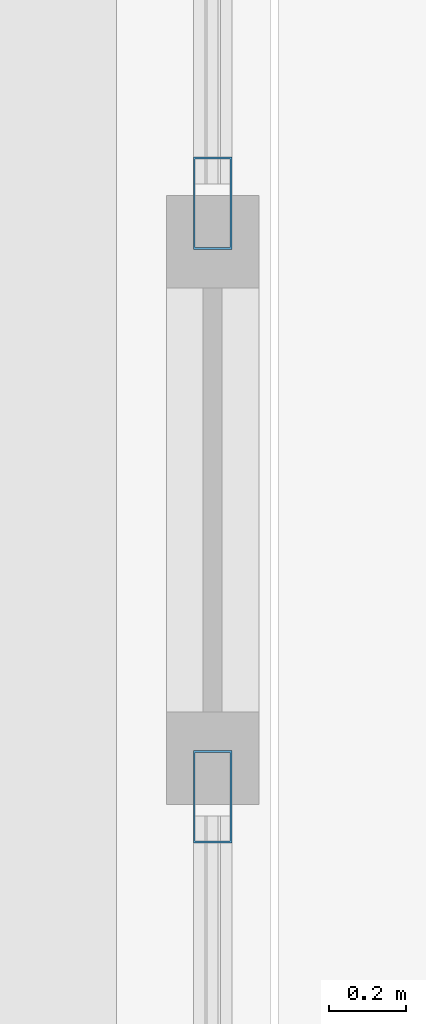
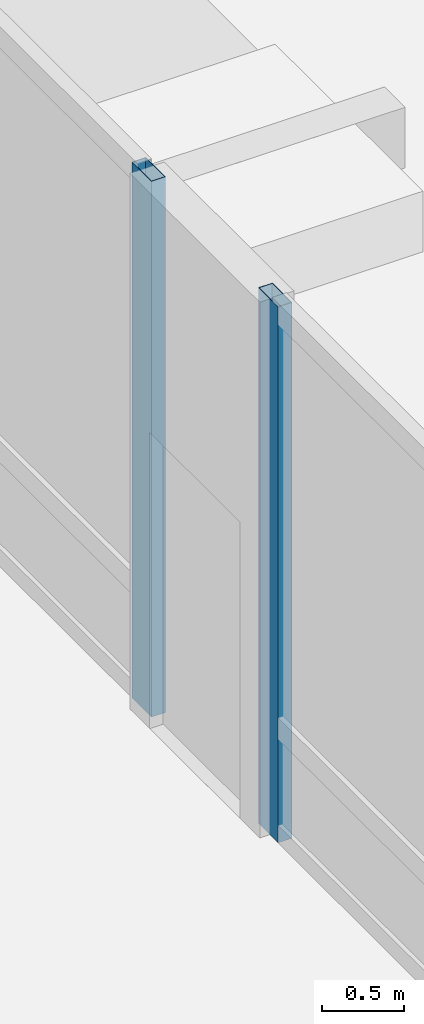
# One storey, part 12 of 29: 2 members, 2 elements without a shape of their own.
"""IFC4 building model written with IfcOpenShell, lengths in metres."""

from ifc_helpers import new_model, si_unit, direction, frame, origin, origin_2d, place, context, subcontext, project, spatial, hollow_rectangle, extrude, material, layer, layer_set, material_profile, profile_set, type_object, element, aggregate, save


model = new_model("IFC4")

# Units and contexts
model_context = context("Model", 3, precision=1e-05, world=origin(), true_north=direction((0.0, 1.0)))
body_context = subcontext(model_context, "Body", "Model", "MODEL_VIEW")
ifc_project = project(units=[si_unit("LENGTHUNIT", "METRE"), si_unit("AREAUNIT", "SQUARE_METRE"), si_unit("VOLUMEUNIT", "CUBIC_METRE"), si_unit("PLANEANGLEUNIT", "RADIAN"), si_unit("MASSUNIT", "GRAM", prefix="KILO")], contexts=[model_context])

# Site, building, storey
site_placement = place(None, origin())
site = spatial("IfcSite", under=ifc_project, at=site_placement, CompositionType="ELEMENT")
building_placement = place(site_placement, origin())
building = spatial("IfcBuilding", under=site, at=building_placement, Name="Khorvyn Point Tower", CompositionType="ELEMENT")
storey_placement = place(building_placement, frame((0.0, 0.0, 26.39990234375)))
storey = spatial("IfcBuildingStorey", under=building, at=storey_placement, Name="L07", CompositionType="ELEMENT", Elevation=26.39990234375)

# Curtain wall, member
ifc_material_1 = material(Name="Anodised aluminium 6063-T6 and laminated Low-E glass", Category="aluminium")
ifc_layer = layer(ifc_material_1, 0.18994140625)
ifc_layer_set = layer_set([ifc_layer], Name="Stick-Built Finned Residential Curtain Wall CW-SYS-02")
curtain_wall_type = type_object("IfcCurtainWallType", Name="Stick-Built Finned Residential Curtain Wall CW-SYS-02", PredefinedType="NOTDEFINED", material=ifc_layer_set)
curtain_wall_1_placement = place(storey_placement, origin())
curtain_wall_1 = element("IfcCurtainWall", 1, at=curtain_wall_1_placement, inside=storey, type_object=curtain_wall_type, Name="Curtain Wall", PredefinedType="NOTDEFINED")
ifc_material_2 = material(Name="Anodised aluminium 6063-T6", Category="aluminium")
ifc_material_profile = material_profile(ifc_material_2, hollow_rectangle(XDim=0.10009765625, YDim=0.239990234375, WallThickness=0.0048828125, at=origin_2d()))
ifc_profile_set = profile_set([ifc_material_profile], Name="Anodised aluminium 6063-T6 ALU-MUL-100x240")
member_type = type_object("IfcMemberType", Name="Anodised Aluminium 6063-T6 Mullion ALU-MUL-100x240", PredefinedType="MULLION", material=ifc_profile_set)
member_1_placement = place(storey_placement, frame((27.949951171875, 0.77001953125, 0.0), z_axis=(0.0, 0.0, 1.0), x_axis=(1.0, 0.0, 0.0)))
member_1 = element("IfcMember", 2, at=member_1_placement, type_object=member_type, Name="Transom", PredefinedType="MULLION", context=body_context, shape_type="SweptSolid", body=[
    extrude(hollow_rectangle(XDim=0.10009765625, YDim=0.239990234375, WallThickness=0.0048828125, at=origin_2d()), origin(), (0.0, 0.0, 1.0), 3.97998046875),
])
aggregate(curtain_wall_1, [member_1])

curtain_wall_2_placement = place(storey_placement, origin())
curtain_wall_2 = element("IfcCurtainWall", 3, at=curtain_wall_2_placement, inside=storey, type_object=curtain_wall_type, Name="Curtain Wall", PredefinedType="NOTDEFINED")
member_2_placement = place(storey_placement, frame((27.949951171875, -0.77001953125, 0.0), z_axis=(0.0, 0.0, 1.0), x_axis=(1.0, 0.0, 0.0)))
member_2 = element("IfcMember", 4, at=member_2_placement, type_object=member_type, Name="Transom", PredefinedType="MULLION", context=body_context, shape_type="SweptSolid", body=[
    extrude(hollow_rectangle(XDim=0.10009765625, YDim=0.239990234375, WallThickness=0.0048828125, at=origin_2d()), origin(), (0.0, 0.0, 1.0), 3.97998046875),
])
aggregate(curtain_wall_2, [member_2])

save(model, "model.ifc")
